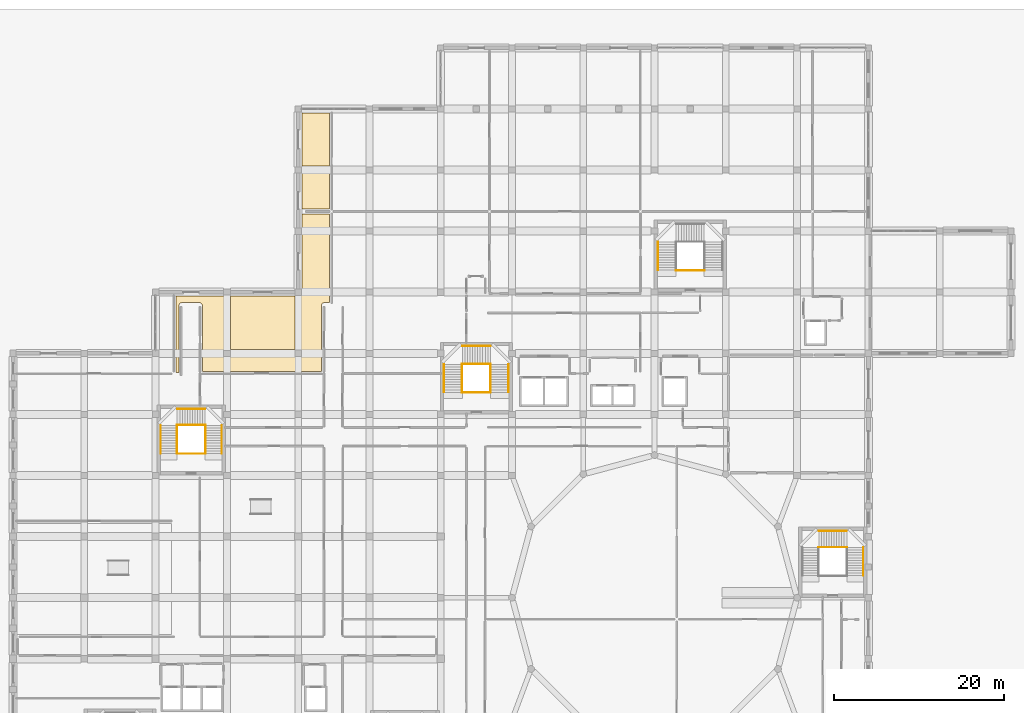
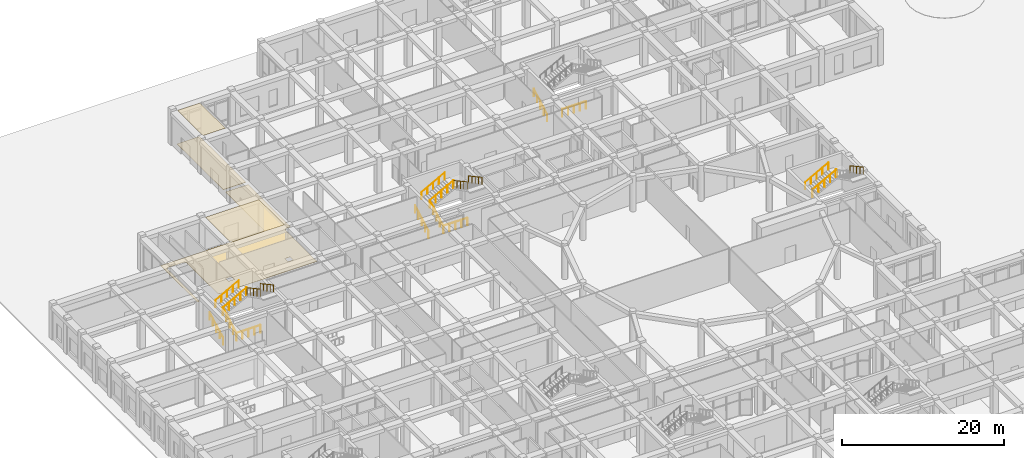
# One storey, part 82 of 84: 19 railings, 4 coverings.
"""IFC4 building model written with IfcOpenShell, lengths in metres."""

import ifcopenshell
import ifcopenshell.guid

model = None  # the IFC model being written
_history = None  # IfcOwnerHistory: only IFC2X3 demands one
_inside = {}  # id of a spatial element -> (the spatial element, [elements in it])
_under = {}  # id of a project, library or spatial element -> (it, [spatial elements below it])
_declared = {}  # id of a project -> (the project, [libraries it declares])
_typed = {}  # id of a type object -> (the type object, [elements of that type])
_made_of = {}  # id of a material, layer set ... -> (it, [elements and type objects made of it])


def new_model(schema):
    """Start an empty IFC model of exactly this schema.

    Asked for "IFC4X3", IfcOpenShell would pick the latest addendum, in which some entities
    have other attributes; the version numbers below select the first issue.
    IFC2X3 requires an IfcOwnerHistory on every rooted entity: one is made here for all.
    """
    global model, _history
    if schema == "IFC4X3":
        model = ifcopenshell.file(schema_version=(4, 3, 0, 0))
    else:
        model = ifcopenshell.file(schema=schema)
    _inside.clear()
    _under.clear()
    _declared.clear()
    _typed.clear()
    _made_of.clear()
    _history = None
    if model.schema == "IFC2X3":
        org = make("IfcOrganization", Name="unknown")
        user = make(
            "IfcPersonAndOrganization",
            ThePerson=make("IfcPerson", FamilyName="unknown"),
            TheOrganization=org,
        )
        app = make(
            "IfcApplication",
            ApplicationDeveloper=org,
            Version="unknown",
            ApplicationFullName="unknown",
            ApplicationIdentifier="unknown",
        )
        _history = make(
            "IfcOwnerHistory",
            OwningUser=user,
            OwningApplication=app,
            ChangeAction="ADDED",
            CreationDate=0,
        )
    return model


def make(cls, **values):
    """One entity of the class cls with the attributes given. An attribute that is None is left unset."""
    return model.create_entity(
        cls, **{name: value for name, value in values.items() if value is not None}
    )


def rooted(cls, **values):
    """An entity with a GlobalId (a new one), such as an element, a storey or a relation."""
    return make(cls, GlobalId=ifcopenshell.guid.new(), OwnerHistory=_history, **values)


def si_unit(unit_type, name, prefix=None):
    """IfcSIUnit, for example si_unit("LENGTHUNIT", "METRE", prefix="MILLI")."""
    return make("IfcSIUnit", UnitType=unit_type, Prefix=prefix, Name=name)


def derived_unit(unit_type, elements):
    """IfcDerivedUnit: a product of units, each with its exponent."""
    return make(
        "IfcDerivedUnit",
        Elements=[
            make("IfcDerivedUnitElement", Unit=unit, Exponent=power)
            for unit, power in elements
        ],
        UnitType=unit_type,
    )


def assignment(units):
    """IfcUnitAssignment: the units of a project."""
    return None if units is None else make("IfcUnitAssignment", Units=units)


def point(xyz):
    """IfcCartesianPoint."""
    return None if xyz is None else make("IfcCartesianPoint", Coordinates=xyz)


def direction(xyz):
    """IfcDirection."""
    return None if xyz is None else make("IfcDirection", DirectionRatios=xyz)


def frame(location, z_axis=None, x_axis=None):
    """IfcAxis2Placement3D, a coordinate frame: its origin and axes. An axis left out is left unset."""
    return make(
        "IfcAxis2Placement3D",
        Location=point(location),
        Axis=direction(z_axis),
        RefDirection=direction(x_axis),
    )


def frame_2d(location, x_axis=None):
    """IfcAxis2Placement2D, a coordinate frame in the plane: its origin and x axis."""
    return make(
        "IfcAxis2Placement2D", Location=point(location), RefDirection=direction(x_axis)
    )


def origin():
    """The frame at (0, 0, 0) with its axes left unset."""
    return frame((0.0, 0.0, 0.0))


def origin_2d():
    """The frame at (0, 0) in the plane with its x axis left unset."""
    return frame_2d((0.0, 0.0))


def place(relative_to, where):
    """IfcLocalPlacement: puts the frame where relative to a parent placement (None: the world)."""
    return make(
        "IfcLocalPlacement", PlacementRelTo=relative_to, RelativePlacement=where
    )


def context(
    kind, dimensions, precision=None, world=None, true_north=None, identifier=None
):
    """IfcGeometricRepresentationContext, for example the 3D "Model" context."""
    return make(
        "IfcGeometricRepresentationContext",
        ContextIdentifier=identifier,
        ContextType=kind,
        CoordinateSpaceDimension=dimensions,
        Precision=precision,
        WorldCoordinateSystem=world,
        TrueNorth=true_north,
    )


def subcontext(parent, identifier, kind, view, scale=None):
    """IfcGeometricRepresentationSubContext, for example "Body" below "Model"."""
    return make(
        "IfcGeometricRepresentationSubContext",
        ContextIdentifier=identifier,
        ContextType=kind,
        ParentContext=parent,
        TargetScale=scale,
        TargetView=view,
    )


def project(units=None, contexts=None):
    """IfcProject with its units and contexts."""
    return rooted(
        "IfcProject",
        Name="project",
        RepresentationContexts=contexts,
        UnitsInContext=assignment(units),
    )


def spatial(cls, under=None, at=None, **own):
    """A site, building, storey or space (cls), placed at a placement, below another one or the project."""
    s = rooted(cls, ObjectPlacement=at, **own)
    if under is not None:
        _under.setdefault(under.id(), (under, []))[1].append(s)
    return s


def polyline(points):
    """IfcPolyline through the points."""
    return make("IfcPolyline", Points=[point(p) for p in points])


def profile(cls, at=None, kind="AREA", **sizes):
    """A parametric profile (cls). Its sizes go by their IFC names, for example OverallWidth=200.0."""
    return make(cls, ProfileType=kind, Position=at, **sizes)


def circle(**sizes):
    """IfcCircleProfileDef."""
    return profile("IfcCircleProfileDef", **sizes)


def outline(outer, holes=None, kind="AREA"):
    """IfcArbitraryClosedProfileDef: a profile drawn as a closed curve; with holes, ...WithVoids."""
    if holes is None:
        return make("IfcArbitraryClosedProfileDef", ProfileType=kind, OuterCurve=outer)
    return make(
        "IfcArbitraryProfileDefWithVoids",
        ProfileType=kind,
        OuterCurve=outer,
        InnerCurves=holes,
    )


def extrude(swept, where, along, depth):
    """IfcExtrudedAreaSolid: the profile swept, set in the frame where, extruded along a direction by depth."""
    return make(
        "IfcExtrudedAreaSolid",
        SweptArea=swept,
        Position=where,
        ExtrudedDirection=direction(along),
        Depth=depth,
    )


def shape(context_of_items, identifier, shape_type, items):
    """IfcShapeRepresentation: the items that make up one representation, for example the "Body"."""
    return make(
        "IfcShapeRepresentation",
        ContextOfItems=context_of_items,
        RepresentationIdentifier=identifier,
        RepresentationType=shape_type,
        Items=items,
    )


def material(Name=None, Category=None):
    """IfcMaterial."""
    return make("IfcMaterial", Name=Name, Category=Category)


def layer(
    of_material, thickness, ventilated=None, Name=None, Category=None, Priority=None
):
    """IfcMaterialLayer: one layer of a wall or slab, of a material (None: an air gap)."""
    return make(
        "IfcMaterialLayer",
        Material=of_material,
        LayerThickness=thickness,
        IsVentilated=ventilated,
        Name=Name,
        Category=Category,
        Priority=Priority,
    )


def layer_set(layers, Name=None):
    """IfcMaterialLayerSet."""
    return make("IfcMaterialLayerSet", MaterialLayers=layers, LayerSetName=Name)


def made_of(thing, what):
    """Note that an element or type object is made of a material, layer set ...; save() writes the relation."""
    if what is not None:
        _made_of.setdefault(what.id(), (what, []))[1].append(thing)
    return thing


def type_object(cls, material=None, **own):
    """A type object (cls), such as IfcWallType, which elements share."""
    return made_of(rooted(cls, **own), material)


def element(
    cls,
    number,
    at=None,
    inside=None,
    cuts=None,
    type_object=None,
    material=None,
    context=None,
    identifier="Body",
    shape_type=None,
    held_by="IfcProductDefinitionShape",
    body=None,
    shapes=None,
    **own,
):
    """One element of the class cls, such as IfcWall. Its Tag is "e" and its number.

    at: its placement. inside: the storey or other place that contains it. cuts: it is an
    opening in that element (IfcRelVoidsElement). A single representation is given by context,
    identifier, shape_type and body (its items); several are given by shapes. held_by: the class
    of the entity that holds the representations. save() writes the other relations.
    """
    e = rooted(cls, Tag="e%d" % number, ObjectPlacement=at, **own)
    if body is not None:
        shapes = [shape(context, identifier, shape_type, body)]
    if shapes is not None:
        e.Representation = make(held_by, Representations=shapes)
    if inside is not None:
        _inside.setdefault(inside.id(), (inside, []))[1].append(e)
    if cuts is not None:
        rooted(
            "IfcRelVoidsElement", RelatingBuildingElement=cuts, RelatedOpeningElement=e
        )
    if type_object is not None:
        _typed.setdefault(type_object.id(), (type_object, []))[1].append(e)
    return made_of(e, material)


def aggregate(whole, parts):
    """IfcRelAggregates: a whole, such as a stair, and the parts it consists of."""
    return rooted("IfcRelAggregates", RelatingObject=whole, RelatedObjects=parts)


def save(model, path):
    """Write the relations noted so far, then the file.

    IfcRelAggregates (storeys below a building ...), IfcRelContainedInSpatialStructure (elements
    in a storey), IfcRelDefinesByType, IfcRelAssociatesMaterial and IfcRelDeclares: one each for
    every whole, place, type object, material and project.
    """
    for whole, parts in _under.values():
        aggregate(whole, parts)
    for where, things in _inside.values():
        rooted(
            "IfcRelContainedInSpatialStructure",
            RelatedElements=things,
            RelatingStructure=where,
        )
    for kind, things in _typed.values():
        rooted("IfcRelDefinesByType", RelatedObjects=things, RelatingType=kind)
    for what, things in _made_of.values():
        rooted("IfcRelAssociatesMaterial", RelatedObjects=things, RelatingMaterial=what)
    for by, libraries in _declared.values():
        rooted("IfcRelDeclares", RelatingContext=by, RelatedDefinitions=libraries)
    model.write(path)


model = new_model("IFC4")

# Units and contexts
model_context = context("Model", 3, precision=1e-05, world=origin(), true_north=direction((0.0, 1.0)))
body_context = subcontext(model_context, "Body", "Model", "MODEL_VIEW")
ifc_project = project(units=[si_unit("LENGTHUNIT", "METRE"), si_unit("AREAUNIT", "SQUARE_METRE"), si_unit("VOLUMEUNIT", "CUBIC_METRE"), si_unit("PLANEANGLEUNIT", "RADIAN"), si_unit("MASSUNIT", "GRAM", prefix="KILO"), derived_unit("THERMALTRANSMITTANCEUNIT", [(si_unit("POWERUNIT", "WATT"), 1), (si_unit("LENGTHUNIT", "METRE"), -2), (si_unit("THERMODYNAMICTEMPERATUREUNIT", "KELVIN"), -1)])], contexts=[model_context])

# Site, building, storey
site_placement = place(None, origin())
site = spatial("IfcSite", under=ifc_project, at=site_placement, CompositionType="ELEMENT")
building_placement = place(site_placement, origin())
building = spatial("IfcBuilding", under=site, at=building_placement, Name="Veybourne Emporium", CompositionType="ELEMENT")
storey_placement = place(building_placement, origin())
storey = spatial("IfcBuildingStorey", under=building, at=storey_placement, Name="L00", CompositionType="ELEMENT", Elevation=0.0)

# Coverings
ifc_material_1 = material(Name="Mineral Acoustic Ceiling", Category="gypsum")
ifc_layer_1 = layer(ifc_material_1, 0.02490234375)
ifc_layer_set_1 = layer_set([ifc_layer_1], Name="Mineral Acoustic Ceiling")
covering_type_1 = type_object("IfcCoveringType", Name="Ceiling_CLG-01", PredefinedType="CEILING", material=ifc_layer_set_1)
covering_1_placement = place(storey_placement, frame((0.0, 0.0, 5.054931640625)))
element("IfcCovering", 1, at=covering_1_placement, inside=storey, type_object=covering_type_1, Name="L00 coffered acoustic ceiling 04", PredefinedType="CEILING", context=body_context, shape_type="SweptSolid", body=[
    extrude(outline(polyline([(25.60009765625, 85.9599609375), (25.60009765625, 85.927001953125), (33.201904296875, 85.927001953125), (33.201904296875, 79.673095703125), (25.60009765625, 79.673095703125), (25.60009765625, 79.554931640625), (25.597900390625, 79.554931640625), (25.597900390625, 85.9599609375), (25.60009765625, 85.9599609375)])), origin(), (0.0, 0.0, 1.0), 0.025146484375),
])
covering_2_placement = place(storey_placement, frame((0.0, 0.0, 5.054931640625)))
element("IfcCovering", 2, at=covering_2_placement, inside=storey, type_object=covering_type_1, Name="L00 coffered acoustic ceiling 05", PredefinedType="CEILING", context=body_context, shape_type="SweptSolid", body=[
    extrude(outline(polyline([(37.2666015625, 101.27294921875), (34.072998046875, 101.27294921875), (34.072998046875, 107.527099609375), (37.2666015625, 107.527099609375), (37.2666015625, 101.27294921875)])), origin(), (0.0, 0.0, 1.0), 0.025146484375),
])
ifc_material_2 = material(Name="Venetian Terrazzo Flooring", Category="masonry")
ifc_layer_2 = layer(ifc_material_2, 0.044921875)
ifc_layer_set_2 = layer_set([ifc_layer_2], Name="Venetian Terrazzo Flooring")
covering_type_2 = type_object("IfcCoveringType", Name="Flooring_FLR-01", PredefinedType="FLOORING", material=ifc_layer_set_2)
covering_3_placement = place(storey_placement, origin())
element("IfcCovering", 3, at=covering_3_placement, inside=storey, type_object=covering_type_2, Name="L00 floor finish 05", PredefinedType="FLOORING", context=body_context, shape_type="SweptSolid", body=[
    extrude(outline(polyline([(34.0400390625, 107.56005859375), (37.2666015625, 107.56005859375), (37.2666015625, 96.199951171875), (34.0400390625, 96.199951171875), (34.0400390625, 107.56005859375)])), origin(), (0.0, 0.0, 1.0), 0.044921875),
])
ifc_material_3 = material(Name="European Oak Parquet", Category="wood")
ifc_layer_3 = layer(ifc_material_3, 0.034912109375)
ifc_layer_set_3 = layer_set([ifc_layer_3], Name="European Oak Parquet")
covering_type_3 = type_object("IfcCoveringType", Name="Flooring_FLR-02", PredefinedType="FLOORING", material=ifc_layer_set_3)
covering_4_placement = place(storey_placement, origin())
element("IfcCovering", 4, at=covering_4_placement, inside=storey, type_object=covering_type_3, Name="L00 floor finish 04", PredefinedType="FLOORING", context=body_context, shape_type="SweptSolid", body=[
    extrude(outline(polyline([(19.21337890625, 85.9599609375), (33.60009765625, 85.9599609375), (33.60986328125, 85.960205078125), (33.63330078125, 85.96142578125), (33.65283203125, 85.96337890625), (33.676025390625, 85.966796875), (33.6953125, 85.970703125), (33.71826171875, 85.976318359375), (33.737060546875, 85.98193359375), (33.75927734375, 85.989990234375), (33.77734375, 85.99755859375), (33.798583984375, 86.007568359375), (33.81591796875, 86.016845703125), (33.8212890625, 86.02001953125), (33.97998046875, 86.02001953125), (33.97998046875, 86.1787109375), (33.983154296875, 86.18408203125), (33.992431640625, 86.201416015625), (34.00244140625, 86.22265625), (34.010009765625, 86.24072265625), (34.01806640625, 86.262939453125), (34.023681640625, 86.28173828125), (34.029296875, 86.3046875), (34.033203125, 86.323974609375), (34.03662109375, 86.34716796875), (34.03857421875, 86.36669921875), (34.039794921875, 86.39013671875), (34.0400390625, 86.39990234375), (34.0400390625, 95.639892578125), (37.2666015625, 95.639892578125), (37.2666015625, 85.159912109375), (36.699951171875, 85.159912109375), (36.690185546875, 85.15966796875), (36.674560546875, 85.158935546875), (36.655029296875, 85.156982421875), (36.639404296875, 85.15478515625), (36.6201171875, 85.15087890625), (36.60498046875, 85.147216796875), (36.586181640625, 85.141357421875), (36.5712890625, 85.13623046875), (36.55322265625, 85.128662109375), (36.5390625, 85.121826171875), (36.521728515625, 85.11279296875), (36.50830078125, 85.1044921875), (36.491943359375, 85.09375), (36.479248046875, 85.084228515625), (36.46435546875, 85.072021484375), (36.45263671875, 85.061279296875), (36.438720703125, 85.04736328125), (36.427978515625, 85.03564453125), (36.415771484375, 85.020751953125), (36.40625, 85.008056640625), (36.3955078125, 84.99169921875), (36.38720703125, 84.978271484375), (36.378173828125, 84.9609375), (36.371337890625, 84.94677734375), (36.36376953125, 84.9287109375), (36.358642578125, 84.913818359375), (36.352783203125, 84.89501953125), (36.34912109375, 84.8798828125), (36.34521484375, 84.860595703125), (36.343017578125, 84.844970703125), (36.341064453125, 84.825439453125), (36.34033203125, 84.809814453125), (36.340087890625, 84.800048828125), (36.340087890625, 77.080078125), (22.31005859375, 77.080078125), (22.31005859375, 84.800048828125), (22.309814453125, 84.809814453125), (22.30908203125, 84.825439453125), (22.30712890625, 84.844970703125), (22.3046875, 84.860595703125), (22.301025390625, 84.8798828125), (22.297119140625, 84.89501953125), (22.29150390625, 84.913818359375), (22.2861328125, 84.9287109375), (22.278564453125, 84.94677734375), (22.27197265625, 84.9609375), (22.2626953125, 84.978271484375), (22.254638671875, 84.99169921875), (22.24365234375, 85.008056640625), (22.234375, 85.020751953125), (22.221923828125, 85.03564453125), (22.21142578125, 85.04736328125), (22.197265625, 85.061279296875), (22.185791015625, 85.072021484375), (22.170654296875, 85.084228515625), (22.158203125, 85.09375), (22.1416015625, 85.1044921875), (22.128173828125, 85.11279296875), (22.11083984375, 85.121826171875), (22.0966796875, 85.128662109375), (22.07861328125, 85.13623046875), (22.06396484375, 85.141357421875), (22.045166015625, 85.147216796875), (22.02978515625, 85.15087890625), (22.010498046875, 85.15478515625), (21.994873046875, 85.156982421875), (21.9755859375, 85.158935546875), (21.959716796875, 85.15966796875), (21.949951171875, 85.159912109375), (19.89990234375, 85.159912109375), (19.89013671875, 85.15966796875), (19.87451171875, 85.158935546875), (19.85498046875, 85.156982421875), (19.839599609375, 85.15478515625), (19.820068359375, 85.15087890625), (19.804931640625, 85.147216796875), (19.7861328125, 85.141357421875), (19.771484375, 85.13623046875), (19.753173828125, 85.128662109375), (19.739013671875, 85.121826171875), (19.7216796875, 85.11279296875), (19.708251953125, 85.1044921875), (19.69189453125, 85.09375), (19.67919921875, 85.084228515625), (19.664306640625, 85.072021484375), (19.652587890625, 85.061279296875), (19.638671875, 85.04736328125), (19.628173828125, 85.03564453125), (19.61572265625, 85.020751953125), (19.6064453125, 85.008056640625), (19.595458984375, 84.99169921875), (19.58740234375, 84.978271484375), (19.578125, 84.9609375), (19.5712890625, 84.94677734375), (19.56396484375, 84.9287109375), (19.55859375, 84.913818359375), (19.552978515625, 84.89501953125), (19.549072265625, 84.8798828125), (19.545166015625, 84.860595703125), (19.54296875, 84.844970703125), (19.541015625, 84.825439453125), (19.540283203125, 84.809814453125), (19.5400390625, 84.800048828125), (19.5400390625, 76.919921875), (19.21337890625, 76.919921875), (19.21337890625, 85.9599609375)]), holes=[polyline([(25.60498046875, 79.554931640625), (24.794921875, 79.554931640625), (24.794921875, 78.844970703125), (25.60498046875, 78.844970703125), (25.60498046875, 79.554931640625)]), polyline([(33.97998046875, 79.580078125), (33.219970703125, 79.580078125), (33.219970703125, 78.820068359375), (33.97998046875, 78.820068359375), (33.97998046875, 79.580078125)])]), origin(), (0.0, 0.0, 1.0), 0.034912109375),
])

# Railings
ifc_material_4 = material(Name="Brushed Stainless Steel", Category="steel")
railing_type_1 = type_object("IfcRailingType", Name="Guard_GR-01", PredefinedType="GUARDRAIL", material=ifc_material_4)
railing_1_placement = place(storey_placement, frame((52.909912109375, 74.60009765625, 0.0)))
element("IfcRailing", 5, at=railing_1_placement, inside=storey, type_object=railing_type_1, Name="L00 ST-03 stair guard 1", PredefinedType="GUARDRAIL", context=body_context, shape_type="SweptSolid", body=[
    extrude(circle(Radius=0.02392578125, at=origin_2d()), frame((0.0, 0.0, 1.1259765625), z_axis=(0.0, 0.8778781969, 0.478883985332), x_axis=(-1.0, 0.0, 0.0)), (0.0, 0.0, 1.0), 3.7587890625),
    extrude(circle(Radius=0.02392578125, at=origin_2d()), frame((0.0, 3.2998046875, 2.92578125), z_axis=(0.0, 1.0, 0.0), x_axis=(-1.0, 0.0, 0.0)), (0.0, 0.0, 1.0), 0.0400390625),
    extrude(circle(Radius=0.02099609375, at=origin_2d()), origin(), (0.0, 0.0, 1.0), 1.101806640625),
    extrude(circle(Radius=0.02099609375, at=origin_2d()), frame((0.0, 0.824951171875, 0.449951171875)), (0.0, 0.0, 1.0), 1.101806640625),
    extrude(circle(Radius=0.02099609375, at=origin_2d()), frame((0.0, 1.64990234375, 0.89990234375)), (0.0, 0.0, 1.0), 1.101806640625),
    extrude(circle(Radius=0.02099609375, at=origin_2d()), frame((0.0, 2.474853515625, 1.35009765625)), (0.0, 0.0, 1.0), 1.101806640625),
    extrude(circle(Radius=0.02099609375, at=origin_2d()), frame((0.0, 3.2998046875, 1.800048828125)), (0.0, 0.0, 1.0), 1.101806640625),
    extrude(circle(Radius=0.02099609375, at=origin_2d()), frame((0.0, 3.33984375, 1.800048828125)), (0.0, 0.0, 1.0), 1.101806640625),
])
railing_2_placement = place(storey_placement, frame((52.909912109375, 77.93994140625, 1.800048828125)))
element("IfcRailing", 6, at=railing_2_placement, inside=storey, type_object=railing_type_1, Name="L00 ST-03 stair guard 2", PredefinedType="GUARDRAIL", context=body_context, shape_type="SweptSolid", body=[
    extrude(circle(Radius=0.02392578125, at=origin_2d()), frame((0.0, 0.0, 1.1259765625), z_axis=(0.880301621994, 0.0, 0.47441443308), x_axis=(0.0, 1.0, 0.0)), (0.0, 0.0, 1.0), 3.794189453125),
    extrude(circle(Radius=0.02392578125, at=origin_2d()), frame((3.340087890625, 0.0, 2.92578125), z_axis=(1.0, 0.0, 0.0), x_axis=(0.0, 1.0, 0.0)), (0.0, 0.0, 1.0), 0.0400390625),
    extrude(circle(Radius=0.02099609375, at=origin_2d()), origin(), (0.0, 0.0, 1.0), 1.101806640625),
    extrude(circle(Radius=0.02099609375, at=origin_2d()), frame((0.8349609375, 0.0, 0.449951171875)), (0.0, 0.0, 1.0), 1.101806640625),
    extrude(circle(Radius=0.02099609375, at=origin_2d()), frame((1.669921875, 0.0, 0.89990234375)), (0.0, 0.0, 1.0), 1.101806640625),
    extrude(circle(Radius=0.02099609375, at=origin_2d()), frame((2.505126953125, 0.0, 1.35009765625)), (0.0, 0.0, 1.0), 1.101806640625),
    extrude(circle(Radius=0.02099609375, at=origin_2d()), frame((3.340087890625, 0.0, 1.800048828125)), (0.0, 0.0, 1.0), 1.101806640625),
    extrude(circle(Radius=0.02099609375, at=origin_2d()), frame((3.380126953125, 0.0, 1.800048828125)), (0.0, 0.0, 1.0), 1.101806640625),
])
railing_3_placement = place(storey_placement, frame((56.2900390625, 77.93994140625, 3.60009765625)))
element("IfcRailing", 7, at=railing_3_placement, inside=storey, type_object=railing_type_1, Name="L00 ST-03 stair guard 3", PredefinedType="GUARDRAIL", context=body_context, shape_type="SweptSolid", body=[
    extrude(circle(Radius=0.02392578125, at=origin_2d()), frame((0.0, 0.0, 1.1259765625), z_axis=(0.0, -1.0, 0.0), x_axis=(1.0, 0.0, 0.0)), (0.0, 0.0, 1.0), 0.0400390625),
    extrude(circle(Radius=0.02392578125, at=origin_2d()), frame((0.0, -0.0400390625, 1.1259765625), z_axis=(0.0, -0.877905501855, 0.478833927173), x_axis=(1.0, 0.0, 0.0)), (0.0, 0.0, 1.0), 3.7587890625),
    extrude(circle(Radius=0.02099609375, at=origin_2d()), origin(), (0.0, 0.0, 1.0), 1.101806640625),
    extrude(circle(Radius=0.02099609375, at=origin_2d()), frame((0.0, -0.0400390625, 0.0)), (0.0, 0.0, 1.0), 1.101806640625),
    extrude(circle(Radius=0.02099609375, at=origin_2d()), frame((0.0, -0.864990234375, 0.449951171875)), (0.0, 0.0, 1.0), 1.101806640625),
    extrude(circle(Radius=0.02099609375, at=origin_2d()), frame((0.0, -1.68994140625, 0.89990234375)), (0.0, 0.0, 1.0), 1.101806640625),
    extrude(circle(Radius=0.02099609375, at=origin_2d()), frame((0.0, -2.514892578125, 1.349853515625)), (0.0, 0.0, 1.0), 1.101806640625),
    extrude(circle(Radius=0.02099609375, at=origin_2d()), frame((0.0, -3.33984375, 1.7998046875)), (0.0, 0.0, 1.0), 1.101806640625),
])
railing_4_placement = place(storey_placement, frame((52.909912109375, 74.56005859375, 0.0)))
element("IfcRailing", 8, at=railing_4_placement, inside=storey, type_object=railing_type_1, Name="L00 ST-03 stair guard 4", PredefinedType="GUARDRAIL", context=body_context, shape_type="SweptSolid", body=[
    extrude(circle(Radius=0.02392578125, at=origin_2d()), frame((0.0, 0.0, 1.1259765625), z_axis=(1.0, 0.0, 0.0), x_axis=(0.0, 1.0, 0.0)), (0.0, 0.0, 1.0), 3.380126953125),
    extrude(circle(Radius=0.02099609375, at=origin_2d()), origin(), (0.0, 0.0, 1.0), 1.101806640625),
    extrude(circle(Radius=0.02099609375, at=origin_2d()), frame((0.844970703125, 0.0, 0.0)), (0.0, 0.0, 1.0), 1.101806640625),
    extrude(circle(Radius=0.02099609375, at=origin_2d()), frame((1.68994140625, 0.0, 0.0)), (0.0, 0.0, 1.0), 1.101806640625),
    extrude(circle(Radius=0.02099609375, at=origin_2d()), frame((2.53515625, 0.0, 0.0)), (0.0, 0.0, 1.0), 1.101806640625),
    extrude(circle(Radius=0.02099609375, at=origin_2d()), frame((3.380126953125, 0.0, 0.0)), (0.0, 0.0, 1.0), 1.101806640625),
])
railing_5_placement = place(storey_placement, frame((78.110107421875, 88.9599609375, 0.0)))
element("IfcRailing", 9, at=railing_5_placement, inside=storey, type_object=railing_type_1, Name="L00 ST-04 stair guard 4", PredefinedType="GUARDRAIL", context=body_context, shape_type="SweptSolid", body=[
    extrude(circle(Radius=0.02392578125, at=origin_2d()), frame((0.0, 0.0, 1.1259765625), z_axis=(1.0, 0.0, 0.0), x_axis=(0.0, 1.0, 0.0)), (0.0, 0.0, 1.0), 3.3798828125),
    extrude(circle(Radius=0.02099609375, at=origin_2d()), origin(), (0.0, 0.0, 1.0), 1.101806640625),
    extrude(circle(Radius=0.02099609375, at=origin_2d()), frame((0.844970703125, 0.0, 0.0)), (0.0, 0.0, 1.0), 1.101806640625),
    extrude(circle(Radius=0.02099609375, at=origin_2d()), frame((1.68994140625, 0.0, 0.0)), (0.0, 0.0, 1.0), 1.101806640625),
    extrude(circle(Radius=0.02099609375, at=origin_2d()), frame((2.534912109375, 0.0, 0.0)), (0.0, 0.0, 1.0), 1.101806640625),
    extrude(circle(Radius=0.02099609375, at=origin_2d()), frame((3.3798828125, 0.0, 0.0)), (0.0, 0.0, 1.0), 1.101806640625),
])
railing_6_placement = place(storey_placement, frame((94.909912109375, 56.340087890625, 1.800048828125)))
element("IfcRailing", 10, at=railing_6_placement, inside=storey, type_object=railing_type_1, Name="L00 ST-07 stair guard 2", PredefinedType="GUARDRAIL", context=body_context, shape_type="SweptSolid", body=[
    extrude(circle(Radius=0.02392578125, at=origin_2d()), frame((0.0, 0.0, 1.1259765625), z_axis=(0.880301621994, 0.0, 0.47441443308), x_axis=(0.0, 1.0, 0.0)), (0.0, 0.0, 1.0), 3.794189453125),
    extrude(circle(Radius=0.02392578125, at=origin_2d()), frame((3.340087890625, 0.0, 2.92578125), z_axis=(1.0, 0.0, 0.0), x_axis=(0.0, 1.0, 0.0)), (0.0, 0.0, 1.0), 0.0400390625),
    extrude(circle(Radius=0.02099609375, at=origin_2d()), origin(), (0.0, 0.0, 1.0), 1.101806640625),
    extrude(circle(Radius=0.02099609375, at=origin_2d()), frame((0.8349609375, 0.0, 0.449951171875)), (0.0, 0.0, 1.0), 1.101806640625),
    extrude(circle(Radius=0.02099609375, at=origin_2d()), frame((1.669921875, 0.0, 0.89990234375)), (0.0, 0.0, 1.0), 1.101806640625),
    extrude(circle(Radius=0.02099609375, at=origin_2d()), frame((2.505126953125, 0.0, 1.35009765625)), (0.0, 0.0, 1.0), 1.101806640625),
    extrude(circle(Radius=0.02099609375, at=origin_2d()), frame((3.340087890625, 0.0, 1.800048828125)), (0.0, 0.0, 1.0), 1.101806640625),
    extrude(circle(Radius=0.02099609375, at=origin_2d()), frame((3.380126953125, 0.0, 1.800048828125)), (0.0, 0.0, 1.0), 1.101806640625),
])
railing_7_placement = place(storey_placement, frame((19.31005859375, 67.39990234375, 0.0)))
element("IfcRailing", 11, at=railing_7_placement, inside=storey, type_object=railing_type_1, Name="L00 ST-08 stair guard 1", PredefinedType="GUARDRAIL", context=body_context, shape_type="SweptSolid", body=[
    extrude(circle(Radius=0.02392578125, at=origin_2d()), frame((0.0, 0.0, 1.1259765625), z_axis=(0.0, 0.877893090839, 0.478856681124), x_axis=(-1.0, 0.0, 0.0)), (0.0, 0.0, 1.0), 3.759033203125),
    extrude(circle(Radius=0.02392578125, at=origin_2d()), frame((0.0, 3.300048828125, 2.92578125), z_axis=(0.0, 1.0, 0.0), x_axis=(-1.0, 0.0, 0.0)), (0.0, 0.0, 1.0), 0.0400390625),
    extrude(circle(Radius=0.02099609375, at=origin_2d()), origin(), (0.0, 0.0, 1.0), 1.101806640625),
    extrude(circle(Radius=0.02099609375, at=origin_2d()), frame((0.0, 0.824951171875, 0.449951171875)), (0.0, 0.0, 1.0), 1.101806640625),
    extrude(circle(Radius=0.02099609375, at=origin_2d()), frame((0.0, 1.64990234375, 0.89990234375)), (0.0, 0.0, 1.0), 1.101806640625),
    extrude(circle(Radius=0.02099609375, at=origin_2d()), frame((0.0, 2.47509765625, 1.35009765625)), (0.0, 0.0, 1.0), 1.101806640625),
    extrude(circle(Radius=0.02099609375, at=origin_2d()), frame((0.0, 3.300048828125, 1.800048828125)), (0.0, 0.0, 1.0), 1.101806640625),
    extrude(circle(Radius=0.02099609375, at=origin_2d()), frame((0.0, 3.340087890625, 1.800048828125)), (0.0, 0.0, 1.0), 1.101806640625),
])
railing_8_placement = place(storey_placement, frame((19.31005859375, 70.739990234375, 1.800048828125)))
element("IfcRailing", 12, at=railing_8_placement, inside=storey, type_object=railing_type_1, Name="L00 ST-08 stair guard 2", PredefinedType="GUARDRAIL", context=body_context, shape_type="SweptSolid", body=[
    extrude(circle(Radius=0.02392578125, at=origin_2d()), frame((0.0, 0.0, 1.1259765625), z_axis=(0.880287138734, 0.0, 0.47444130657), x_axis=(0.0, 1.0, 0.0)), (0.0, 0.0, 1.0), 3.7939453125),
    extrude(circle(Radius=0.02392578125, at=origin_2d()), frame((3.33984375, 0.0, 2.92578125), z_axis=(1.0, 0.0, 0.0), x_axis=(0.0, 1.0, 0.0)), (0.0, 0.0, 1.0), 0.0400390625),
    extrude(circle(Radius=0.02099609375, at=origin_2d()), origin(), (0.0, 0.0, 1.0), 1.101806640625),
    extrude(circle(Radius=0.02099609375, at=origin_2d()), frame((0.8349609375, 0.0, 0.449951171875)), (0.0, 0.0, 1.0), 1.101806640625),
    extrude(circle(Radius=0.02099609375, at=origin_2d()), frame((1.669921875, 0.0, 0.89990234375)), (0.0, 0.0, 1.0), 1.101806640625),
    extrude(circle(Radius=0.02099609375, at=origin_2d()), frame((2.5048828125, 0.0, 1.35009765625)), (0.0, 0.0, 1.0), 1.101806640625),
    extrude(circle(Radius=0.02099609375, at=origin_2d()), frame((3.33984375, 0.0, 1.800048828125)), (0.0, 0.0, 1.0), 1.101806640625),
    extrude(circle(Radius=0.02099609375, at=origin_2d()), frame((3.3798828125, 0.0, 1.800048828125)), (0.0, 0.0, 1.0), 1.101806640625),
])
railing_9_placement = place(storey_placement, frame((22.68994140625, 70.739990234375, 3.60009765625)))
element("IfcRailing", 13, at=railing_9_placement, inside=storey, type_object=railing_type_1, Name="L00 ST-08 stair guard 3", PredefinedType="GUARDRAIL", context=body_context, shape_type="SweptSolid", body=[
    extrude(circle(Radius=0.02392578125, at=origin_2d()), frame((0.0, 0.0, 1.1259765625), z_axis=(0.0, -1.0, 0.0), x_axis=(1.0, 0.0, 0.0)), (0.0, 0.0, 1.0), 0.0400390625),
    extrude(circle(Radius=0.02392578125, at=origin_2d()), frame((0.0, -0.0400390625, 1.1259765625), z_axis=(0.0, -0.877920393143, 0.478806624122), x_axis=(1.0, 0.0, 0.0)), (0.0, 0.0, 1.0), 3.759033203125),
    extrude(circle(Radius=0.02099609375, at=origin_2d()), origin(), (0.0, 0.0, 1.0), 1.101806640625),
    extrude(circle(Radius=0.02099609375, at=origin_2d()), frame((0.0, -0.0400390625, 0.0)), (0.0, 0.0, 1.0), 1.101806640625),
    extrude(circle(Radius=0.02099609375, at=origin_2d()), frame((0.0, -0.864990234375, 0.449951171875)), (0.0, 0.0, 1.0), 1.101806640625),
    extrude(circle(Radius=0.02099609375, at=origin_2d()), frame((0.0, -1.68994140625, 0.89990234375)), (0.0, 0.0, 1.0), 1.101806640625),
    extrude(circle(Radius=0.02099609375, at=origin_2d()), frame((0.0, -2.51513671875, 1.349853515625)), (0.0, 0.0, 1.0), 1.101806640625),
    extrude(circle(Radius=0.02099609375, at=origin_2d()), frame((0.0, -3.340087890625, 1.7998046875)), (0.0, 0.0, 1.0), 1.101806640625),
])
railing_10_placement = place(storey_placement, frame((19.31005859375, 67.360107421875, 0.0)))
element("IfcRailing", 14, at=railing_10_placement, inside=storey, type_object=railing_type_1, Name="L00 ST-08 stair guard 4", PredefinedType="GUARDRAIL", context=body_context, shape_type="SweptSolid", body=[
    extrude(circle(Radius=0.02392578125, at=origin_2d()), frame((0.0, 0.0, 1.1259765625), z_axis=(1.0, 0.0, 0.0), x_axis=(0.0, 1.0, 0.0)), (0.0, 0.0, 1.0), 3.3798828125),
    extrude(circle(Radius=0.02099609375, at=origin_2d()), origin(), (0.0, 0.0, 1.0), 1.101806640625),
    extrude(circle(Radius=0.02099609375, at=origin_2d()), frame((0.844970703125, 0.0, 0.0)), (0.0, 0.0, 1.0), 1.101806640625),
    extrude(circle(Radius=0.02099609375, at=origin_2d()), frame((1.68994140625, 0.0, 0.0)), (0.0, 0.0, 1.0), 1.101806640625),
    extrude(circle(Radius=0.02099609375, at=origin_2d()), frame((2.534912109375, 0.0, 0.0)), (0.0, 0.0, 1.0), 1.101806640625),
    extrude(circle(Radius=0.02099609375, at=origin_2d()), frame((3.3798828125, 0.0, 0.0)), (0.0, 0.0, 1.0), 1.101806640625),
])
railing_type_2 = type_object("IfcRailingType", Name="Handrail_HR-01", PredefinedType="HANDRAIL", material=ifc_material_4)
railing_11_placement = place(storey_placement, frame((50.81005859375, 74.60009765625, 0.14990234375)))
element("IfcRailing", 15, at=railing_11_placement, inside=storey, type_object=railing_type_2, Name="L00 ST-03 pitch handrail 1", PredefinedType="HANDRAIL", context=body_context, shape_type="SweptSolid", body=[
    extrude(circle(Radius=0.02392578125, at=origin_2d()), frame((0.0, 0.0, 0.92578125), z_axis=(0.0, 0.8778781969, 0.478883985332), x_axis=(-1.0, 0.0, 0.0)), (0.0, 0.0, 1.0), 3.7587890625),
    extrude(circle(Radius=0.02099609375, at=origin_2d()), frame((0.0, 0.0, -0.14990234375)), (0.0, 0.0, 1.0), 1.0517578125),
    extrude(circle(Radius=0.02099609375, at=origin_2d()), frame((0.0, 0.824951171875, 0.300048828125)), (0.0, 0.0, 1.0), 1.0517578125),
    extrude(circle(Radius=0.02099609375, at=origin_2d()), frame((0.0, 1.64990234375, 0.75)), (0.0, 0.0, 1.0), 1.0517578125),
    extrude(circle(Radius=0.02099609375, at=origin_2d()), frame((0.0, 2.474853515625, 1.2001953125)), (0.0, 0.0, 1.0), 1.0517578125),
    extrude(circle(Radius=0.02099609375, at=origin_2d()), frame((0.0, 3.2998046875, 1.650146484375)), (0.0, 0.0, 1.0), 1.0517578125),
])
railing_12_placement = place(storey_placement, frame((52.949951171875, 80.0400390625, 1.949951171875)))
element("IfcRailing", 16, at=railing_12_placement, inside=storey, type_object=railing_type_2, Name="L00 ST-03 pitch handrail 2", PredefinedType="HANDRAIL", context=body_context, shape_type="SweptSolid", body=[
    extrude(circle(Radius=0.02392578125, at=origin_2d()), frame((0.0, 0.0, 0.92578125), z_axis=(0.877893090839, 0.0, 0.478856681124), x_axis=(0.0, 1.0, 0.0)), (0.0, 0.0, 1.0), 3.759033203125),
    extrude(circle(Radius=0.02099609375, at=origin_2d()), frame((0.0, 0.0, -0.14990234375)), (0.0, 0.0, 1.0), 1.0517578125),
    extrude(circle(Radius=0.02099609375, at=origin_2d()), frame((0.824951171875, 0.0, 0.300048828125)), (0.0, 0.0, 1.0), 1.0517578125),
    extrude(circle(Radius=0.02099609375, at=origin_2d()), frame((1.64990234375, 0.0, 0.75)), (0.0, 0.0, 1.0), 1.0517578125),
    extrude(circle(Radius=0.02099609375, at=origin_2d()), frame((2.47509765625, 0.0, 1.2001953125)), (0.0, 0.0, 1.0), 1.0517578125),
    extrude(circle(Radius=0.02099609375, at=origin_2d()), frame((3.300048828125, 0.0, 1.650146484375)), (0.0, 0.0, 1.0), 1.0517578125),
])
railing_13_placement = place(storey_placement, frame((58.389892578125, 77.89990234375, 3.75)))
element("IfcRailing", 17, at=railing_13_placement, inside=storey, type_object=railing_type_2, Name="L00 ST-03 pitch handrail 3", PredefinedType="HANDRAIL", context=body_context, shape_type="SweptSolid", body=[
    extrude(circle(Radius=0.02392578125, at=origin_2d()), frame((0.0, 0.0, 0.92578125), z_axis=(0.0, -0.8778781969, 0.478883985332), x_axis=(1.0, 0.0, 0.0)), (0.0, 0.0, 1.0), 3.7587890625),
    extrude(circle(Radius=0.02099609375, at=origin_2d()), frame((0.0, 0.0, -0.14990234375)), (0.0, 0.0, 1.0), 1.0517578125),
    extrude(circle(Radius=0.02099609375, at=origin_2d()), frame((0.0, -0.824951171875, 0.300048828125)), (0.0, 0.0, 1.0), 1.0517578125),
    extrude(circle(Radius=0.02099609375, at=origin_2d()), frame((0.0, -1.64990234375, 0.75)), (0.0, 0.0, 1.0), 1.0517578125),
    extrude(circle(Radius=0.02099609375, at=origin_2d()), frame((0.0, -2.474853515625, 1.2001953125)), (0.0, 0.0, 1.0), 1.0517578125),
    extrude(circle(Radius=0.02099609375, at=origin_2d()), frame((0.0, -3.2998046875, 1.650146484375)), (0.0, 0.0, 1.0), 1.0517578125),
])
railing_14_placement = place(storey_placement, frame((76.010009765625, 89.0, 0.14990234375)))
element("IfcRailing", 18, at=railing_14_placement, inside=storey, type_object=railing_type_2, Name="L00 ST-04 pitch handrail 1", PredefinedType="HANDRAIL", context=body_context, shape_type="SweptSolid", body=[
    extrude(circle(Radius=0.02392578125, at=origin_2d()), frame((0.0, 0.0, 0.92578125), z_axis=(0.0, 0.877893090839, 0.478856681124), x_axis=(-1.0, 0.0, 0.0)), (0.0, 0.0, 1.0), 3.759033203125),
    extrude(circle(Radius=0.02099609375, at=origin_2d()), frame((0.0, 0.0, -0.14990234375)), (0.0, 0.0, 1.0), 1.0517578125),
    extrude(circle(Radius=0.02099609375, at=origin_2d()), frame((0.0, 0.824951171875, 0.300048828125)), (0.0, 0.0, 1.0), 1.0517578125),
    extrude(circle(Radius=0.02099609375, at=origin_2d()), frame((0.0, 1.64990234375, 0.75)), (0.0, 0.0, 1.0), 1.0517578125),
    extrude(circle(Radius=0.02099609375, at=origin_2d()), frame((0.0, 2.47509765625, 1.2001953125)), (0.0, 0.0, 1.0), 1.0517578125),
    extrude(circle(Radius=0.02099609375, at=origin_2d()), frame((0.0, 3.300048828125, 1.650146484375)), (0.0, 0.0, 1.0), 1.0517578125),
])
railing_15_placement = place(storey_placement, frame((94.949951171875, 58.239990234375, 1.949951171875)))
element("IfcRailing", 19, at=railing_15_placement, inside=storey, type_object=railing_type_2, Name="L00 ST-07 pitch handrail 2", PredefinedType="HANDRAIL", context=body_context, shape_type="SweptSolid", body=[
    extrude(circle(Radius=0.02392578125, at=origin_2d()), frame((0.0, 0.0, 0.92578125), z_axis=(0.877893090839, 0.0, 0.478856681124), x_axis=(0.0, 1.0, 0.0)), (0.0, 0.0, 1.0), 3.759033203125),
    extrude(circle(Radius=0.02099609375, at=origin_2d()), frame((0.0, 0.0, -0.14990234375)), (0.0, 0.0, 1.0), 1.0517578125),
    extrude(circle(Radius=0.02099609375, at=origin_2d()), frame((0.824951171875, 0.0, 0.300048828125)), (0.0, 0.0, 1.0), 1.0517578125),
    extrude(circle(Radius=0.02099609375, at=origin_2d()), frame((1.64990234375, 0.0, 0.75)), (0.0, 0.0, 1.0), 1.0517578125),
    extrude(circle(Radius=0.02099609375, at=origin_2d()), frame((2.47509765625, 0.0, 1.2001953125)), (0.0, 0.0, 1.0), 1.0517578125),
    extrude(circle(Radius=0.02099609375, at=origin_2d()), frame((3.300048828125, 0.0, 1.650146484375)), (0.0, 0.0, 1.0), 1.0517578125),
])
railing_16_placement = place(storey_placement, frame((100.18994140625, 56.300048828125, 3.75)))
element("IfcRailing", 20, at=railing_16_placement, inside=storey, type_object=railing_type_2, Name="L00 ST-07 pitch handrail 3", PredefinedType="HANDRAIL", context=body_context, shape_type="SweptSolid", body=[
    extrude(circle(Radius=0.02392578125, at=origin_2d()), frame((0.0, 0.0, 0.92578125), z_axis=(0.0, -0.877893090839, 0.478856681124), x_axis=(1.0, 0.0, 0.0)), (0.0, 0.0, 1.0), 3.759033203125),
    extrude(circle(Radius=0.02099609375, at=origin_2d()), frame((0.0, 0.0, -0.14990234375)), (0.0, 0.0, 1.0), 1.0517578125),
    extrude(circle(Radius=0.02099609375, at=origin_2d()), frame((0.0, -0.824951171875, 0.300048828125)), (0.0, 0.0, 1.0), 1.0517578125),
    extrude(circle(Radius=0.02099609375, at=origin_2d()), frame((0.0, -1.64990234375, 0.75)), (0.0, 0.0, 1.0), 1.0517578125),
    extrude(circle(Radius=0.02099609375, at=origin_2d()), frame((0.0, -2.47509765625, 1.2001953125)), (0.0, 0.0, 1.0), 1.0517578125),
    extrude(circle(Radius=0.02099609375, at=origin_2d()), frame((0.0, -3.300048828125, 1.650146484375)), (0.0, 0.0, 1.0), 1.0517578125),
])
railing_17_placement = place(storey_placement, frame((17.409912109375, 67.39990234375, 0.14990234375)))
element("IfcRailing", 21, at=railing_17_placement, inside=storey, type_object=railing_type_2, Name="L00 ST-08 pitch handrail 1", PredefinedType="HANDRAIL", context=body_context, shape_type="SweptSolid", body=[
    extrude(circle(Radius=0.02392578125, at=origin_2d()), frame((0.0, 0.0, 0.92578125), z_axis=(0.0, 0.877893090839, 0.478856681124), x_axis=(-1.0, 0.0, 0.0)), (0.0, 0.0, 1.0), 3.759033203125),
    extrude(circle(Radius=0.02099609375, at=origin_2d()), frame((0.0, 0.0, -0.14990234375)), (0.0, 0.0, 1.0), 1.0517578125),
    extrude(circle(Radius=0.02099609375, at=origin_2d()), frame((0.0, 0.824951171875, 0.300048828125)), (0.0, 0.0, 1.0), 1.0517578125),
    extrude(circle(Radius=0.02099609375, at=origin_2d()), frame((0.0, 1.64990234375, 0.75)), (0.0, 0.0, 1.0), 1.0517578125),
    extrude(circle(Radius=0.02099609375, at=origin_2d()), frame((0.0, 2.47509765625, 1.2001953125)), (0.0, 0.0, 1.0), 1.0517578125),
    extrude(circle(Radius=0.02099609375, at=origin_2d()), frame((0.0, 3.300048828125, 1.650146484375)), (0.0, 0.0, 1.0), 1.0517578125),
])
railing_18_placement = place(storey_placement, frame((19.35009765625, 72.639892578125, 1.949951171875)))
element("IfcRailing", 22, at=railing_18_placement, inside=storey, type_object=railing_type_2, Name="L00 ST-08 pitch handrail 2", PredefinedType="HANDRAIL", context=body_context, shape_type="SweptSolid", body=[
    extrude(circle(Radius=0.02392578125, at=origin_2d()), frame((0.0, 0.0, 0.92578125), z_axis=(0.8778781969, 0.0, 0.478883985332), x_axis=(0.0, 1.0, 0.0)), (0.0, 0.0, 1.0), 3.7587890625),
    extrude(circle(Radius=0.02099609375, at=origin_2d()), frame((0.0, 0.0, -0.14990234375)), (0.0, 0.0, 1.0), 1.0517578125),
    extrude(circle(Radius=0.02099609375, at=origin_2d()), frame((0.824951171875, 0.0, 0.300048828125)), (0.0, 0.0, 1.0), 1.0517578125),
    extrude(circle(Radius=0.02099609375, at=origin_2d()), frame((1.64990234375, 0.0, 0.75)), (0.0, 0.0, 1.0), 1.0517578125),
    extrude(circle(Radius=0.02099609375, at=origin_2d()), frame((2.474853515625, 0.0, 1.2001953125)), (0.0, 0.0, 1.0), 1.0517578125),
    extrude(circle(Radius=0.02099609375, at=origin_2d()), frame((3.2998046875, 0.0, 1.650146484375)), (0.0, 0.0, 1.0), 1.0517578125),
])
railing_19_placement = place(storey_placement, frame((24.590087890625, 70.699951171875, 3.75)))
element("IfcRailing", 23, at=railing_19_placement, inside=storey, type_object=railing_type_2, Name="L00 ST-08 pitch handrail 3", PredefinedType="HANDRAIL", context=body_context, shape_type="SweptSolid", body=[
    extrude(circle(Radius=0.02392578125, at=origin_2d()), frame((0.0, 0.0, 0.92578125), z_axis=(0.0, -0.877893090839, 0.478856681124), x_axis=(1.0, 0.0, 0.0)), (0.0, 0.0, 1.0), 3.759033203125),
    extrude(circle(Radius=0.02099609375, at=origin_2d()), frame((0.0, 0.0, -0.14990234375)), (0.0, 0.0, 1.0), 1.0517578125),
    extrude(circle(Radius=0.02099609375, at=origin_2d()), frame((0.0, -0.824951171875, 0.300048828125)), (0.0, 0.0, 1.0), 1.0517578125),
    extrude(circle(Radius=0.02099609375, at=origin_2d()), frame((0.0, -1.64990234375, 0.75)), (0.0, 0.0, 1.0), 1.0517578125),
    extrude(circle(Radius=0.02099609375, at=origin_2d()), frame((0.0, -2.47509765625, 1.2001953125)), (0.0, 0.0, 1.0), 1.0517578125),
    extrude(circle(Radius=0.02099609375, at=origin_2d()), frame((0.0, -3.300048828125, 1.650146484375)), (0.0, 0.0, 1.0), 1.0517578125),
])

save(model, "model.ifc")
